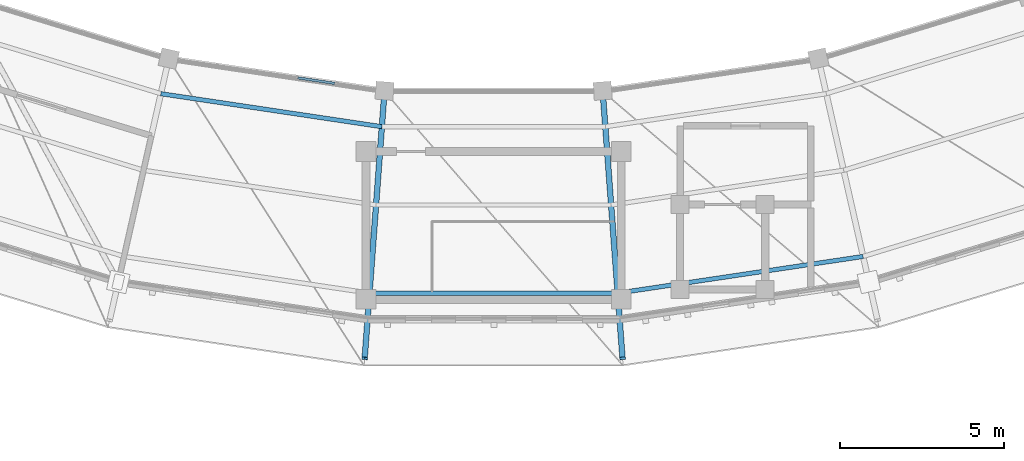
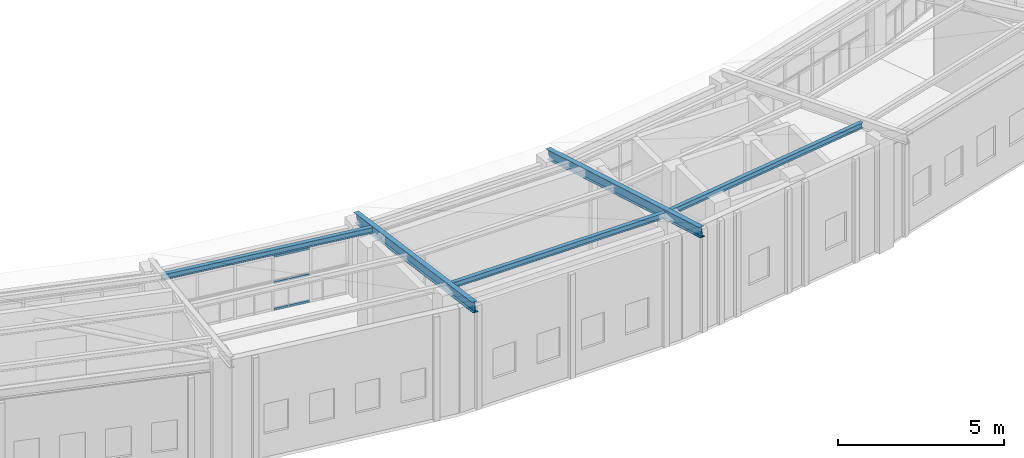
# One storey, part 36 of 149: 8 members, 1 element without a shape of its own.
"""IFC4 building model written with IfcOpenShell, lengths in metres."""

from ifc_helpers import new_model, si_unit, direction, frame, origin, origin_2d, place, context, subcontext, project, spatial, hollow_rectangle, i_section, extrude, material, material_profile, profile_set, type_object, element, aggregate, save


model = new_model("IFC4")

# Units and contexts
model_context = context("Model", 3, precision=1e-05, world=origin(), true_north=direction((0.0, 1.0)))
body_context = subcontext(model_context, "Body", "Model", "MODEL_VIEW")
ifc_project = project(units=[si_unit("LENGTHUNIT", "METRE"), si_unit("AREAUNIT", "SQUARE_METRE"), si_unit("VOLUMEUNIT", "CUBIC_METRE"), si_unit("PLANEANGLEUNIT", "RADIAN"), si_unit("MASSUNIT", "GRAM", prefix="KILO")], contexts=[model_context])

# Site, building, storey
site_placement = place(None, origin())
site = spatial("IfcSite", under=ifc_project, at=site_placement, CompositionType="ELEMENT")
building_placement = place(site_placement, origin())
building = spatial("IfcBuilding", under=site, at=building_placement, Name="Celadon Cloister-Ring School", CompositionType="ELEMENT")
storey_placement = place(building_placement, frame((0.0, 0.0, 12.5)))
storey = spatial("IfcBuildingStorey", under=building, at=storey_placement, Name="L03", CompositionType="ELEMENT", Elevation=12.5)

# Curtain wall, members
ifc_material_1 = material(Name="Aluminium EN AW-6063 T6", Category="aluminium")
curtain_wall_type = type_object("IfcCurtainWallType", Name="CW-02", PredefinedType="USERDEFINED", material=ifc_material_1)
curtain_wall_placement = place(storey_placement, origin())
curtain_wall = element("IfcCurtainWall", 1, at=curtain_wall_placement, inside=storey, type_object=curtain_wall_type, Name="Curtain Wall 0060", ObjectType="CURTAIN WALL", PredefinedType="USERDEFINED")
ifc_material_2 = material(Name="Aluminium EN AW-6063 T6", Category="aluminium")
ifc_material_profile_1 = material_profile(ifc_material_2, hollow_rectangle(XDim=0.074951171875, YDim=0.074951171875, WallThickness=0.00390625, at=origin_2d()), Name="RHS75X75X4")
ifc_profile_set_1 = profile_set([ifc_material_profile_1], Name="Aluminium EN AW-6063 T6")
member_type_1 = type_object("IfcMemberType", Name="CTM-03", PredefinedType="USERDEFINED", material=ifc_profile_set_1)
member_1_placement = place(storey_placement, frame((81.013671875, 14.520263671875, 0.03759765625), z_axis=(0.989027122375, -0.147734055677, 0.0), x_axis=(0.147734055677, 0.989027122375, 0.0)))
member_1 = element("IfcMember", 2, at=member_1_placement, type_object=member_type_1, Name="CW-02 transom 4.1", ObjectType="TRANSOM", PredefinedType="USERDEFINED", context=body_context, shape_type="SweptSolid", body=[
    extrude(hollow_rectangle(XDim=0.074951171875, YDim=0.074951171875, WallThickness=0.00390625, at=origin_2d()), origin(), (0.0, 0.0, 1.0), 1.141845703125),
])
member_2_placement = place(storey_placement, frame((81.013671875, 14.520263671875, 1.010009765625), z_axis=(0.989027122375, -0.147734055677, 0.0), x_axis=(0.147734055677, 0.989027122375, 0.0)))
member_2 = element("IfcMember", 3, at=member_2_placement, type_object=member_type_1, Name="CW-02 transom 4.2", ObjectType="TRANSOM", PredefinedType="USERDEFINED", context=body_context, shape_type="SweptSolid", body=[
    extrude(hollow_rectangle(XDim=0.074951171875, YDim=0.074951171875, WallThickness=0.00390625, at=origin_2d()), origin(), (0.0, 0.0, 1.0), 1.141845703125),
])
member_3_placement = place(storey_placement, frame((81.013671875, 14.520263671875, 1.982421875), z_axis=(0.989027122375, -0.147734055677, 0.0), x_axis=(0.147734055677, 0.989027122375, 0.0)))
member_3 = element("IfcMember", 4, at=member_3_placement, type_object=member_type_1, Name="CW-02 transom 4.3", ObjectType="TRANSOM", PredefinedType="USERDEFINED", context=body_context, shape_type="SweptSolid", body=[
    extrude(hollow_rectangle(XDim=0.074951171875, YDim=0.074951171875, WallThickness=0.00390625, at=origin_2d()), origin(), (0.0, 0.0, 1.0), 1.141845703125),
])
aggregate(curtain_wall, [member_1, member_2, member_3])

# Members
ifc_material_3 = material(Name="Structural steel S355JR", Category="steel")
ifc_material_profile_2 = material_profile(ifc_material_3, i_section(OverallWidth=0.133056640625, OverallDepth=0.20703125, WebThickness=0.005859375, FlangeThickness=0.00830078125, at=origin_2d()), Name="W200X27")
ifc_profile_set_2 = profile_set([ifc_material_profile_2], Name="Structural steel S355JR")
member_type_2 = type_object("IfcMemberType", Name="MP-04", PredefinedType="PURLIN", material=ifc_profile_set_2)
member_4_placement = place(storey_placement, frame((76.8310546875, 14.035888671875, 2.970947265625), z_axis=(0.989028468359, -0.147725044508, 0.0), x_axis=(0.147725044508, 0.989028468359, 0.0)))
element("IfcMember", 5, at=member_4_placement, inside=storey, type_object=member_type_2, Name="Structural Member 0159", PredefinedType="PURLIN", context=body_context, shape_type="SweptSolid", body=[
    extrude(i_section(OverallWidth=0.133056640625, OverallDepth=0.20703125, WebThickness=0.005859375, FlangeThickness=0.00830078125, at=origin_2d()), origin(), (0.0, 0.0, 1.0), 6.828857421875),
])
member_5_placement = place(storey_placement, frame((83.20703125, 7.94091796875, 4.073974609375), z_axis=(1.0, 0.0, 0.0), x_axis=(0.0, 1.0, 0.0)))
element("IfcMember", 6, at=member_5_placement, inside=storey, type_object=member_type_2, Name="Structural Member 0166", PredefinedType="PURLIN", context=body_context, shape_type="SweptSolid", body=[
    extrude(i_section(OverallWidth=0.133056640625, OverallDepth=0.20703125, WebThickness=0.005859375, FlangeThickness=0.00830078125, at=origin_2d()), origin(), (0.0, 0.0, 1.0), 7.5859375),
])
member_6_placement = place(storey_placement, frame((90.79296875, 7.94091796875, 4.073974609375), z_axis=(0.989033421291, 0.147691880513, 0.0), x_axis=(-0.147691880513, 0.989033421291, 0.0)))
element("IfcMember", 7, at=member_6_placement, inside=storey, type_object=member_type_2, Name="Structural Member 0171", PredefinedType="PURLIN", context=body_context, shape_type="SweptSolid", body=[
    extrude(i_section(OverallWidth=0.133056640625, OverallDepth=0.20703125, WebThickness=0.005859375, FlangeThickness=0.00830078125, at=origin_2d()), origin(), (0.0, 0.0, 1.0), 7.584228515625),
])
ifc_material_4 = material(Name="Structural steel S355JR", Category="steel")
ifc_material_profile_3 = material_profile(ifc_material_4, i_section(OverallWidth=0.1708984375, OverallDepth=0.35498046875, WebThickness=0.007080078125, FlangeThickness=0.01171875, at=origin_2d()), Name="W360X51")
ifc_profile_set_3 = profile_set([ifc_material_profile_3], Name="Structural steel S355JR")
member_type_3 = type_object("IfcMemberType", Name="MR-05", PredefinedType="RAFTER", material=ifc_profile_set_3)
for number, where, z_axis, x_axis, name in (
    (8, (83.6669921875, 14.1240234375, 2.72607421875), (-0.072303762943, -0.972674356342, 0.22062810877), (0.997248550283, -0.07413048602, 0.0), "Structural Member 0036"),
    (9, (90.3330078125, 14.1240234375, 2.72607421875), (0.072303762943, -0.972674356342, 0.22062810877), (0.997248550283, 0.07413048602, 0.0), "Structural Member 0038"),
):
    element("IfcMember", number, at=place(storey_placement, frame(where, z_axis=z_axis, x_axis=x_axis)), inside=storey, type_object=member_type_3, Name=name, PredefinedType="RAFTER", context=body_context, shape_type="SweptSolid", body=[
        extrude(i_section(OverallWidth=0.1708984375, OverallDepth=0.35498046875, WebThickness=0.007080078125, FlangeThickness=0.01171875, at=origin_2d()), origin(), (0.0, 0.0, 1.0), 8.40771484375),
    ])

save(model, "model.ifc")
